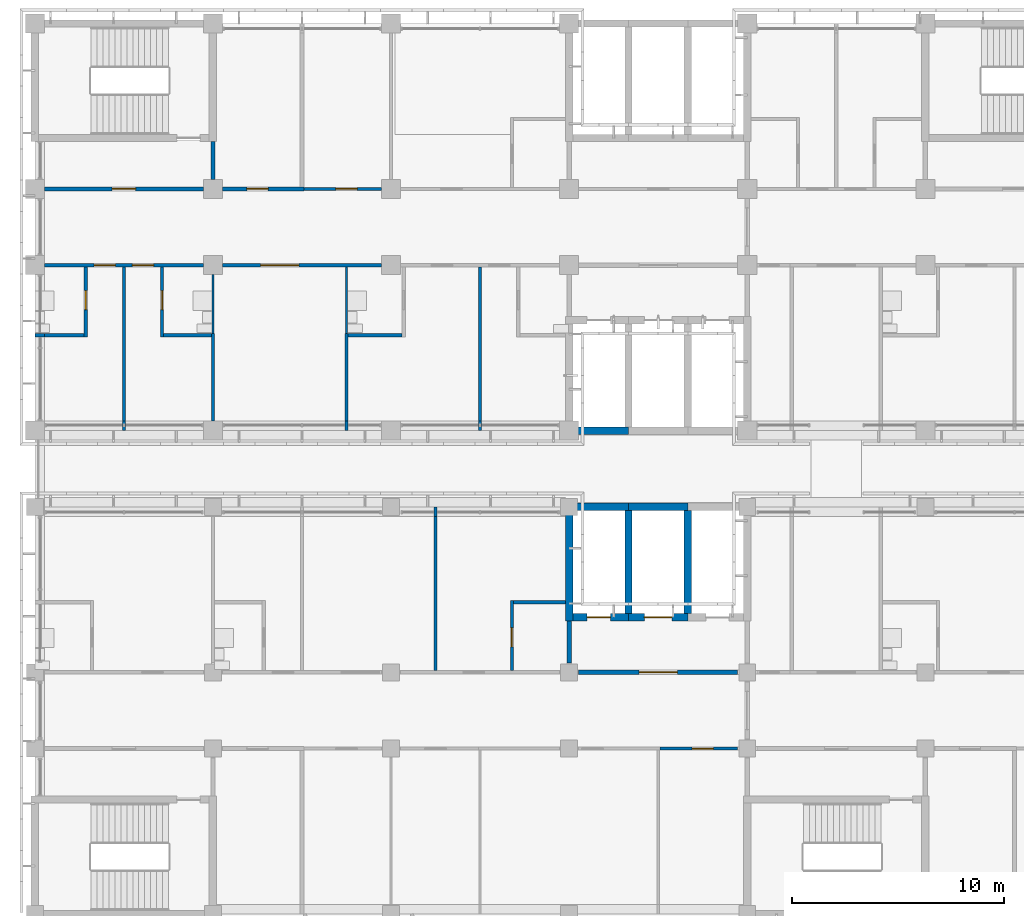
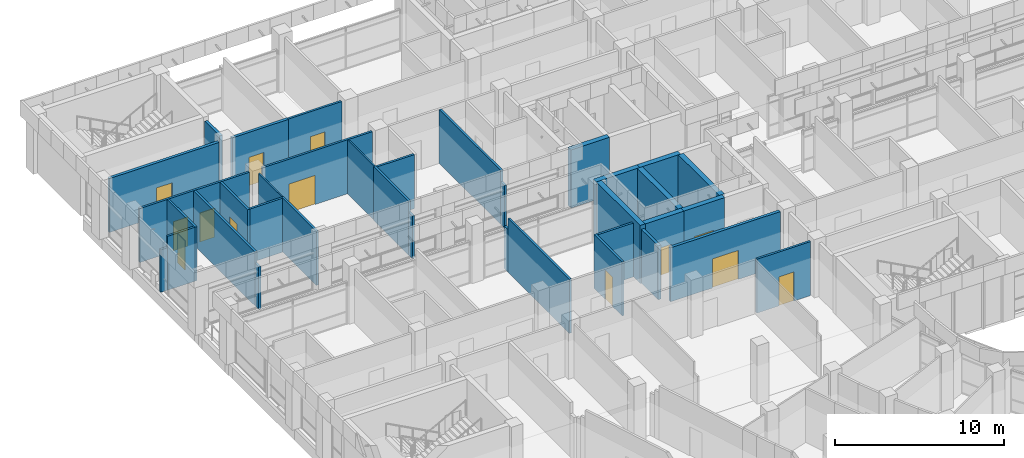
# One storey, part 74 of 137: 36 walls, 13 doors, 13 openings.
"""IFC4 building model written with IfcOpenShell, lengths in metres."""

from ifc_helpers import new_model, si_unit, direction, frame, frame_2d, origin, place, context, subcontext, project, spatial, rectangle, extrude, material, layer, layer_set, type_object, element, fill, save


model = new_model("IFC4")

# Units and contexts
model_context = context("Model", 3, precision=1e-05, world=origin(), true_north=direction((0.0, 1.0)))
body_context = subcontext(model_context, "Body", "Model", "MODEL_VIEW")
ifc_project = project(units=[si_unit("LENGTHUNIT", "METRE"), si_unit("AREAUNIT", "SQUARE_METRE"), si_unit("VOLUMEUNIT", "CUBIC_METRE"), si_unit("PLANEANGLEUNIT", "RADIAN"), si_unit("MASSUNIT", "GRAM", prefix="KILO")], contexts=[model_context])

# Site, building, storey
site_placement = place(None, origin())
site = spatial("IfcSite", under=ifc_project, at=site_placement, CompositionType="ELEMENT")
building_placement = place(site_placement, origin())
building = spatial("IfcBuilding", under=site, at=building_placement, Name="Bougainvillea Quay General Hospital", CompositionType="ELEMENT")
storey_placement = place(building_placement, frame((0.0, 0.0, 16.800048828125)))
storey = spatial("IfcBuildingStorey", under=building, at=storey_placement, Name="L03", CompositionType="ELEMENT", Elevation=16.800048828125)

# Walls
ifc_material_1 = material(Name="Gypsum board partition on steel studs", Category="steel")
ifc_layer_1 = layer(ifc_material_1, 0.10009765625)
ifc_layer_set_1 = layer_set([ifc_layer_1], Name="Gypsum board partition on steel studs")
wall_type_1 = type_object("IfcWallType", Name="Partition 100 Gypsum board partition", PredefinedType="PARTITIONING", material=ifc_layer_set_1)
wall_1_placement = place(storey_placement, frame((50.39990234375, 144.97509765625, 0.0), z_axis=(0.0, 0.0, 1.0), x_axis=(0.0, 1.0, 0.0)))
element("IfcWall", 1, at=wall_1_placement, inside=storey, type_object=wall_type_1, Name="Partition 100 mm", PredefinedType="PARTITIONING", context=body_context, shape_type="SweptSolid", body=[
    extrude(rectangle(XDim=2.77490234375, YDim=0.10009765625, at=frame_2d((1.387451171875, 0.0))), origin(), (0.0, 0.0, 1.0), 3.89990234375),
])
wall_2_placement = place(storey_placement, frame((56.699951171875, 144.97509765625, 0.0), z_axis=(0.0, 0.0, 1.0), x_axis=(0.0, 1.0, 0.0)))
element("IfcWall", 2, at=wall_2_placement, inside=storey, type_object=wall_type_1, Name="Partition 100 mm", PredefinedType="PARTITIONING", context=body_context, shape_type="SweptSolid", body=[
    extrude(rectangle(XDim=3.14990234375, YDim=0.10009765625, at=frame_2d((1.574951171875, 0.0))), origin(), (0.0, 0.0, 1.0), 3.89990234375),
])
ifc_material_2 = material(Name="Gypsum board partition on steel studs, insulated", Category="steel")
ifc_layer_2 = layer(ifc_material_2, 0.14990234375)
ifc_layer_set_2 = layer_set([ifc_layer_2], Name="Gypsum board partition on steel studs, insulated")
wall_type_2 = type_object("IfcWallType", Name="Partition 150 Gypsum board partition", PredefinedType="PARTITIONING", material=ifc_layer_set_2)
wall_3_placement = place(storey_placement, frame((60.89990234375, 129.074951171875, 0.0), z_axis=(0.0, 0.0, 1.0), x_axis=(0.0, 1.0, 0.0)))
element("IfcWall", 3, at=wall_3_placement, inside=storey, type_object=wall_type_2, Name="Partition 150 mm", PredefinedType="PARTITIONING", context=body_context, shape_type="SweptSolid", body=[
    extrude(rectangle(XDim=7.275146484375, YDim=0.14990234375, at=frame_2d((3.6376953125, 0.0))), origin(), (0.0, 0.0, 1.0), 3.89990234375),
])
wall_4_placement = place(storey_placement, frame((60.89990234375, 136.35009765625, 0.0), z_axis=(0.0, 0.0, 1.0), x_axis=(0.0, 1.0, 0.0)))
element("IfcWall", 4, at=wall_4_placement, inside=storey, type_object=wall_type_2, Name="Partition 150 mm", PredefinedType="PARTITIONING", context=body_context, shape_type="SweptSolid", body=[
    extrude(rectangle(XDim=0.449951171875, YDim=0.14990234375, at=frame_2d((0.22509765625, 0.0))), origin(), (0.0, 0.0, 1.0), 3.079833984375),
])
wall_5_placement = place(storey_placement, frame((46.199951171875, 140.39990234375, 0.0), z_axis=(0.0, 0.0, 1.0), x_axis=(0.0, 1.0, 0.0)))
element("IfcWall", 5, at=wall_5_placement, inside=storey, type_object=wall_type_2, Name="Partition 150 mm", PredefinedType="PARTITIONING", context=body_context, shape_type="SweptSolid", body=[
    extrude(rectangle(XDim=0.4501953125, YDim=0.14990234375, at=frame_2d((0.22509765625, 0.0))), origin(), (0.0, 0.0, 1.0), 3.079833984375),
])
wall_6_placement = place(storey_placement, frame((46.199951171875, 140.85009765625, 0.0), z_axis=(0.0, 0.0, 1.0), x_axis=(0.0, 1.0, 0.0)))
element("IfcWall", 6, at=wall_6_placement, inside=storey, type_object=wall_type_2, Name="Partition 150 mm", PredefinedType="PARTITIONING", context=body_context, shape_type="SweptSolid", body=[
    extrude(rectangle(XDim=7.27490234375, YDim=0.14990234375, at=frame_2d((3.637451171875, 0.0))), origin(), (0.0, 0.0, 1.0), 3.89990234375),
])
wall_7_placement = place(storey_placement, frame((63.0, 140.39990234375, 0.0), z_axis=(0.0, 0.0, 1.0), x_axis=(0.0, 1.0, 0.0)))
element("IfcWall", 7, at=wall_7_placement, inside=storey, type_object=wall_type_2, Name="Partition 150 mm", PredefinedType="PARTITIONING", context=body_context, shape_type="SweptSolid", body=[
    extrude(rectangle(XDim=0.4501953125, YDim=0.14990234375, at=frame_2d((0.22509765625, 0.0))), origin(), (0.0, 0.0, 1.0), 3.079833984375),
])
wall_8_placement = place(storey_placement, frame((63.0, 140.85009765625, 0.0), z_axis=(0.0, 0.0, 1.0), x_axis=(0.0, 1.0, 0.0)))
element("IfcWall", 8, at=wall_8_placement, inside=storey, type_object=wall_type_2, Name="Partition 150 mm", PredefinedType="PARTITIONING", context=body_context, shape_type="SweptSolid", body=[
    extrude(rectangle(XDim=7.27490234375, YDim=0.14990234375, at=frame_2d((3.637451171875, 0.0))), origin(), (0.0, 0.0, 1.0), 3.89990234375),
])
wall_9_placement = place(storey_placement, frame((50.39990234375, 140.85009765625, 0.0), z_axis=(0.0, 0.0, 1.0), x_axis=(0.0, 1.0, 0.0)))
element("IfcWall", 9, at=wall_9_placement, inside=storey, type_object=wall_type_2, Name="Partition 150 mm", PredefinedType="PARTITIONING", context=body_context, shape_type="SweptSolid", body=[
    extrude(rectangle(XDim=4.125, YDim=0.14990234375, at=frame_2d((2.0625, 0.0))), origin(), (0.0, 0.0, 1.0), 3.89990234375),
])
wall_10_placement = place(storey_placement, frame((56.699951171875, 140.39990234375, 0.0), z_axis=(0.0, 0.0, 1.0), x_axis=(0.0, 1.0, 0.0)))
element("IfcWall", 10, at=wall_10_placement, inside=storey, type_object=wall_type_2, Name="Partition 150 mm", PredefinedType="PARTITIONING", context=body_context, shape_type="SweptSolid", body=[
    extrude(rectangle(XDim=0.4501953125, YDim=0.14990234375, at=frame_2d((0.22509765625, 0.0))), origin(), (0.0, 0.0, 1.0), 3.079833984375),
])
wall_11_placement = place(storey_placement, frame((56.699951171875, 140.85009765625, 0.0), z_axis=(0.0, 0.0, 1.0), x_axis=(0.0, 1.0, 0.0)))
element("IfcWall", 11, at=wall_11_placement, inside=storey, type_object=wall_type_2, Name="Partition 150 mm", PredefinedType="PARTITIONING", context=body_context, shape_type="SweptSolid", body=[
    extrude(rectangle(XDim=4.125, YDim=0.14990234375, at=frame_2d((2.0625, 0.0))), origin(), (0.0, 0.0, 1.0), 3.89990234375),
])

# Wall, opening, door
wall_12_placement = place(storey_placement, frame((64.5, 129.074951171875, 0.0), z_axis=(0.0, 0.0, 1.0), x_axis=(0.0, 1.0, 0.0)))
wall_12 = element("IfcWall", 12, at=wall_12_placement, inside=storey, type_object=wall_type_2, Name="Partition 150 mm", PredefinedType="PARTITIONING", context=body_context, shape_type="SweptSolid", body=[
    extrude(rectangle(XDim=3.300048828125, YDim=0.14990234375, at=frame_2d((1.64990234375, 0.0))), origin(), (0.0, 0.0, 1.0), 3.89990234375),
])
opening_1_placement = place(wall_12_placement, frame((1.125, 0.0, 0.0)))
opening_1 = element("IfcOpeningElement", 13, at=opening_1_placement, cuts=wall_12, Name="Opening L03.084", PredefinedType="OPENING", context=body_context, shape_type="SweptSolid", body=[
    extrude(rectangle(XDim=0.89990234375, YDim=2.10009765625, at=frame_2d((0.449951171875, 1.050048828125))), frame((0.0, 0.0849609375, 0.0), z_axis=(0.0, -1.0, 0.0), x_axis=(1.0, 0.0, 0.0)), (0.0, 0.0, 1.0), 0.169921875),
])
ifc_material_3 = material(Name="Solid-core timber door leaf in steel frame", Category="steel")
door_type_1 = type_object("IfcDoorType", Name="Single leaf door 900x2100", OperationType="NOTDEFINED", PredefinedType="DOOR", material=ifc_material_3)
door_1_placement = place(opening_1_placement, frame((0.89990234375, 0.0, 0.0), z_axis=(0.0, 0.0, 1.0), x_axis=(-1.0, 0.0, 0.0)))
door_1 = element("IfcDoor", 14, at=door_1_placement, inside=storey, type_object=door_type_1, Name="DT07 L03.084", OperationType="SINGLE_SWING_RIGHT", OverallHeight=2.10009765625, OverallWidth=0.89990234375, PredefinedType="DOOR", context=body_context, shape_type="SweptSolid", body=[
    extrude(rectangle(XDim=0.89990234375, YDim=2.10009765625, at=frame_2d((0.449951171875, 1.050048828125))), frame((0.0, 0.02490234375, 0.0), z_axis=(0.0, -1.0, 0.0), x_axis=(1.0, 0.0, 0.0)), (0.0, 0.0, 1.0), 0.050048828125),
])
fill(opening_1, door_1)

wall_13_placement = place(storey_placement, frame((44.39990234375, 144.824951171875, 0.0), z_axis=(0.0, 0.0, 1.0), x_axis=(0.0, 1.0, 0.0)))
wall_13 = element("IfcWall", 15, at=wall_13_placement, inside=storey, type_object=wall_type_2, Name="Partition 150 mm", PredefinedType="PARTITIONING", context=body_context, shape_type="SweptSolid", body=[
    extrude(rectangle(XDim=3.300048828125, YDim=0.14990234375, at=frame_2d((1.64990234375, 0.0))), origin(), (0.0, 0.0, 1.0), 3.89990234375),
])
opening_2_placement = place(wall_13_placement, frame((1.27490234375, 0.0, 0.0)))
opening_2 = element("IfcOpeningElement", 16, at=opening_2_placement, cuts=wall_13, Name="Opening L03.005", PredefinedType="OPENING", context=body_context, shape_type="SweptSolid", body=[
    extrude(rectangle(XDim=0.89990234375, YDim=2.10009765625, at=frame_2d((0.449951171875, 1.050048828125))), frame((0.0, 0.0849609375, 0.0), z_axis=(0.0, -1.0, 0.0), x_axis=(1.0, 0.0, 0.0)), (0.0, 0.0, 1.0), 0.169921875),
])
door_2_placement = place(opening_2_placement, origin())
door_2 = element("IfcDoor", 17, at=door_2_placement, inside=storey, type_object=door_type_1, Name="DT07 L03.005", OperationType="SINGLE_SWING_RIGHT", OverallHeight=2.10009765625, OverallWidth=0.89990234375, PredefinedType="DOOR", context=body_context, shape_type="SweptSolid", body=[
    extrude(rectangle(XDim=0.89990234375, YDim=2.10009765625, at=frame_2d((0.449951171875, 1.050048828125))), frame((0.0, 0.02490234375, 0.0), z_axis=(0.0, -1.0, 0.0), x_axis=(1.0, 0.0, 0.0)), (0.0, 0.0, 1.0), 0.050048828125),
])
fill(opening_2, door_2)

wall_14_placement = place(storey_placement, frame((48.0, 144.824951171875, 0.0), z_axis=(0.0, 0.0, 1.0), x_axis=(0.0, 1.0, 0.0)))
wall_14 = element("IfcWall", 18, at=wall_14_placement, inside=storey, type_object=wall_type_2, Name="Partition 150 mm", PredefinedType="PARTITIONING", context=body_context, shape_type="SweptSolid", body=[
    extrude(rectangle(XDim=3.300048828125, YDim=0.14990234375, at=frame_2d((1.64990234375, 0.0))), origin(), (0.0, 0.0, 1.0), 3.89990234375),
])
opening_3_placement = place(wall_14_placement, frame((1.27490234375, 0.0, 0.0)))
opening_3 = element("IfcOpeningElement", 19, at=opening_3_placement, cuts=wall_14, Name="Opening L03.007", PredefinedType="OPENING", context=body_context, shape_type="SweptSolid", body=[
    extrude(rectangle(XDim=0.89990234375, YDim=2.10009765625, at=frame_2d((0.449951171875, 1.050048828125))), frame((0.0, 0.0849609375, 0.0), z_axis=(0.0, -1.0, 0.0), x_axis=(1.0, 0.0, 0.0)), (0.0, 0.0, 1.0), 0.169921875),
])
door_3_placement = place(opening_3_placement, frame((0.89990234375, 0.0, 0.0), z_axis=(0.0, 0.0, 1.0), x_axis=(-1.0, 0.0, 0.0)))
door_3 = element("IfcDoor", 20, at=door_3_placement, inside=storey, type_object=door_type_1, Name="DT07 L03.007", OperationType="SINGLE_SWING_LEFT", OverallHeight=2.10009765625, OverallWidth=0.89990234375, PredefinedType="DOOR", context=body_context, shape_type="SweptSolid", body=[
    extrude(rectangle(XDim=0.89990234375, YDim=2.10009765625, at=frame_2d((0.449951171875, 1.050048828125))), frame((0.0, 0.02490234375, 0.0), z_axis=(0.0, -1.0, 0.0), x_axis=(1.0, 0.0, 0.0)), (0.0, 0.0, 1.0), 0.050048828125),
])
fill(opening_3, door_3)

# Walls
wall_15_placement = place(storey_placement, frame((64.574951171875, 132.300048828125, 0.0), z_axis=(0.0, 0.0, 1.0), x_axis=(1.0, 0.0, 0.0)))
element("IfcWall", 21, at=wall_15_placement, inside=storey, type_object=wall_type_2, Name="Partition 150 mm", PredefinedType="PARTITIONING", context=body_context, shape_type="SweptSolid", body=[
    extrude(rectangle(XDim=2.449951171875, YDim=0.14990234375, at=frame_2d((1.22509765625, 0.0))), origin(), (0.0, 0.0, 1.0), 3.89990234375),
])
wall_16_placement = place(storey_placement, frame((56.77490234375, 144.89990234375, 0.0), z_axis=(0.0, 0.0, 1.0), x_axis=(1.0, 0.0, 0.0)))
element("IfcWall", 22, at=wall_16_placement, inside=storey, type_object=wall_type_2, Name="Partition 150 mm", PredefinedType="PARTITIONING", context=body_context, shape_type="SweptSolid", body=[
    extrude(rectangle(XDim=2.550048828125, YDim=0.14990234375, at=frame_2d((1.27490234375, 0.0))), origin(), (0.0, 0.0, 1.0), 3.89990234375),
])
wall_17_placement = place(storey_placement, frame((42.0, 144.89990234375, 0.0), z_axis=(0.0, 0.0, 1.0), x_axis=(1.0, 0.0, 0.0)))
element("IfcWall", 23, at=wall_17_placement, inside=storey, type_object=wall_type_2, Name="Partition 150 mm", PredefinedType="PARTITIONING", context=body_context, shape_type="SweptSolid", body=[
    extrude(rectangle(XDim=0.449951171875, YDim=0.14990234375, at=frame_2d((0.22509765625, 0.0))), origin(), (0.0, 0.0, 1.0), 3.079833984375),
])
wall_18_placement = place(storey_placement, frame((42.449951171875, 144.89990234375, 0.0), z_axis=(0.0, 0.0, 1.0), x_axis=(1.0, 0.0, 0.0)))
element("IfcWall", 24, at=wall_18_placement, inside=storey, type_object=wall_type_2, Name="Partition 150 mm", PredefinedType="PARTITIONING", context=body_context, shape_type="SweptSolid", body=[
    extrude(rectangle(XDim=1.875, YDim=0.14990234375, at=frame_2d((0.9375, 0.0))), origin(), (0.0, 0.0, 1.0), 3.89990234375),
])
wall_19_placement = place(storey_placement, frame((48.074951171875, 144.89990234375, 0.0), z_axis=(0.0, 0.0, 1.0), x_axis=(1.0, 0.0, 0.0)))
element("IfcWall", 25, at=wall_19_placement, inside=storey, type_object=wall_type_2, Name="Partition 150 mm", PredefinedType="PARTITIONING", context=body_context, shape_type="SweptSolid", body=[
    extrude(rectangle(XDim=2.25, YDim=0.14990234375, at=frame_2d((1.125, 0.0))), origin(), (0.0, 0.0, 1.0), 3.89990234375),
])

# Wall, opening, door
ifc_layer_3 = layer(ifc_material_2, 0.14990234375)
ifc_layer_set_3 = layer_set([ifc_layer_3], Name="Gypsum board partition on steel studs, insulated")
wall_type_3 = type_object("IfcWallType", Name="Partition 150 Gypsum board partition EI 30", PredefinedType="PARTITIONING", material=ifc_layer_set_3)
wall_20_placement = place(storey_placement, frame((58.35009765625, 148.199951171875, 0.0), z_axis=(0.0, 0.0, 1.0), x_axis=(-1.0, 0.0, 0.0)))
wall_20 = element("IfcWall", 26, at=wall_20_placement, inside=storey, type_object=wall_type_3, Name="Partition 150 mm EI 30", PredefinedType="PARTITIONING", context=body_context, shape_type="SweptSolid", body=[
    extrude(rectangle(XDim=7.5, YDim=0.14990234375, at=frame_2d((3.75, 0.0))), origin(), (0.0, 0.0, 1.0), 3.89990234375),
])
opening_4_placement = place(wall_20_placement, frame((3.89990234375, 0.0, 0.0)))
opening_4 = element("IfcOpeningElement", 27, at=opening_4_placement, cuts=wall_20, Name="Opening L03.008", PredefinedType="OPENING", context=body_context, shape_type="SweptSolid", body=[
    extrude(rectangle(XDim=1.800048828125, YDim=2.10009765625, at=frame_2d((0.89990234375, 1.050048828125))), frame((0.0, 0.0849609375, 0.0), z_axis=(0.0, -1.0, 0.0), x_axis=(1.0, 0.0, 0.0)), (0.0, 0.0, 1.0), 0.169921875),
])
ifc_material_4 = material(Name="Solid-core timber door leaves in steel frame", Category="steel")
door_type_2 = type_object("IfcDoorType", Name="Double leaf door 1800x2100 FD30S", OperationType="DOUBLE_DOOR_SINGLE_SWING", PredefinedType="DOOR", material=ifc_material_4)
door_4_placement = place(opening_4_placement, origin())
door_4 = element("IfcDoor", 28, at=door_4_placement, inside=storey, type_object=door_type_2, Name="DT17 L03.008", OperationType="DOUBLE_DOOR_SINGLE_SWING", OverallHeight=2.10009765625, OverallWidth=1.800048828125, PredefinedType="DOOR", context=body_context, shape_type="SweptSolid", body=[
    extrude(rectangle(XDim=1.800048828125, YDim=2.10009765625, at=frame_2d((0.89990234375, 1.050048828125))), frame((0.0, 0.02490234375, 0.0), z_axis=(0.0, -1.0, 0.0), x_axis=(1.0, 0.0, 0.0)), (0.0, 0.0, 1.0), 0.050048828125),
])
fill(opening_4, door_4)

# Wall, openings, doors
wall_21_placement = place(storey_placement, frame((49.949951171875, 148.199951171875, 0.0), z_axis=(0.0, 0.0, 1.0), x_axis=(-1.0, 0.0, 0.0)))
wall_21 = element("IfcWall", 29, at=wall_21_placement, inside=storey, type_object=wall_type_3, Name="Partition 150 mm EI 30", PredefinedType="PARTITIONING", context=body_context, shape_type="SweptSolid", body=[
    extrude(rectangle(XDim=7.5, YDim=0.14990234375, at=frame_2d((3.75, 0.0))), origin(), (0.0, 0.0, 1.0), 3.89990234375),
])
opening_5_placement = place(wall_21_placement, frame((4.14990234375, 0.0, 0.0)))
opening_5 = element("IfcOpeningElement", 30, at=opening_5_placement, cuts=wall_21, Name="Opening L03.004", PredefinedType="OPENING", context=body_context, shape_type="SweptSolid", body=[
    extrude(rectangle(XDim=1.0, YDim=2.10009765625, at=frame_2d((0.5, 1.050048828125))), frame((0.0, 0.0849609375, 0.0), z_axis=(0.0, -1.0, 0.0), x_axis=(1.0, 0.0, 0.0)), (0.0, 0.0, 1.0), 0.169921875),
])
opening_6_placement = place(wall_21_placement, frame((2.35009765625, 0.0, 0.0)))
opening_6 = element("IfcOpeningElement", 31, at=opening_6_placement, cuts=wall_21, Name="Opening L03.006", PredefinedType="OPENING", context=body_context, shape_type="SweptSolid", body=[
    extrude(rectangle(XDim=1.0, YDim=2.10009765625, at=frame_2d((0.5, 1.050048828125))), frame((0.0, 0.0849609375, 0.0), z_axis=(0.0, -1.0, 0.0), x_axis=(1.0, 0.0, 0.0)), (0.0, 0.0, 1.0), 0.169921875),
])
door_type_3 = type_object("IfcDoorType", Name="Single leaf door 1000x2100 FD30S", OperationType="NOTDEFINED", PredefinedType="DOOR", material=ifc_material_3)
door_5_placement = place(opening_5_placement, origin())
door_5 = element("IfcDoor", 32, at=door_5_placement, inside=storey, type_object=door_type_3, Name="DT15 L03.004", OperationType="SINGLE_SWING_RIGHT", OverallHeight=2.10009765625, OverallWidth=1.0, PredefinedType="DOOR", context=body_context, shape_type="SweptSolid", body=[
    extrude(rectangle(XDim=1.0, YDim=2.10009765625, at=frame_2d((0.5, 1.050048828125))), frame((0.0, 0.02490234375, 0.0), z_axis=(0.0, -1.0, 0.0), x_axis=(1.0, 0.0, 0.0)), (0.0, 0.0, 1.0), 0.050048828125),
])
fill(opening_5, door_5)
door_6_placement = place(opening_6_placement, origin())
door_6 = element("IfcDoor", 33, at=door_6_placement, inside=storey, type_object=door_type_3, Name="DT15 L03.006", OperationType="SINGLE_SWING_LEFT", OverallHeight=2.10009765625, OverallWidth=1.0, PredefinedType="DOOR", context=body_context, shape_type="SweptSolid", body=[
    extrude(rectangle(XDim=1.0, YDim=2.10009765625, at=frame_2d((0.5, 1.050048828125))), frame((0.0, 0.02490234375, 0.0), z_axis=(0.0, -1.0, 0.0), x_axis=(1.0, 0.0, 0.0)), (0.0, 0.0, 1.0), 0.050048828125),
])
fill(opening_6, door_6)

# Wall, opening, door
ifc_layer_4 = layer(ifc_material_2, 0.14990234375)
ifc_layer_set_4 = layer_set([ifc_layer_4], Name="Gypsum board partition on steel studs, insulated")
wall_type_4 = type_object("IfcWallType", Name="Partition 150 Gypsum board partition EI 60", PredefinedType="PARTITIONING", material=ifc_layer_set_4)
wall_22_placement = place(storey_placement, frame((54.699951171875, 151.800048828125, 0.0), z_axis=(0.0, 0.0, 1.0), x_axis=(1.0, 0.0, 0.0)))
wall_22 = element("IfcWall", 34, at=wall_22_placement, inside=storey, type_object=wall_type_4, Name="Partition 150 mm EI 60", PredefinedType="PARTITIONING", context=body_context, shape_type="SweptSolid", body=[
    extrude(rectangle(XDim=3.650146484375, YDim=0.14990234375, at=frame_2d((1.8251953125, 0.0))), origin(), (0.0, 0.0, 1.0), 3.89990234375),
])
opening_7_placement = place(wall_22_placement, frame((1.5, 0.0, 0.0)))
opening_7 = element("IfcOpeningElement", 35, at=opening_7_placement, cuts=wall_22, Name="Opening L03.013", PredefinedType="OPENING", context=body_context, shape_type="SweptSolid", body=[
    extrude(rectangle(XDim=1.0, YDim=2.10009765625, at=frame_2d((0.5, 1.050048828125))), frame((0.0, 0.0849609375, 0.0), z_axis=(0.0, -1.0, 0.0), x_axis=(1.0, 0.0, 0.0)), (0.0, 0.0, 1.0), 0.169921875),
])
door_type_4 = type_object("IfcDoorType", Name="Single leaf door 1000x2100 FD60", OperationType="NOTDEFINED", PredefinedType="DOOR", material=ifc_material_3)
door_7_placement = place(opening_7_placement, origin())
door_7 = element("IfcDoor", 36, at=door_7_placement, inside=storey, type_object=door_type_4, Name="DT14 L03.013", OperationType="SINGLE_SWING_RIGHT", OverallHeight=2.10009765625, OverallWidth=1.0, PredefinedType="DOOR", context=body_context, shape_type="SweptSolid", body=[
    extrude(rectangle(XDim=1.0, YDim=2.10009765625, at=frame_2d((0.5, 1.050048828125))), frame((0.0, 0.02490234375, 0.0), z_axis=(0.0, -1.0, 0.0), x_axis=(1.0, 0.0, 0.0)), (0.0, 0.0, 1.0), 0.050048828125),
])
fill(opening_7, door_7)

wall_23_placement = place(storey_placement, frame((71.47509765625, 125.39990234375, 0.0), z_axis=(0.0, 0.0, 1.0), x_axis=(1.0, 0.0, 0.0)))
wall_23 = element("IfcWall", 37, at=wall_23_placement, inside=storey, type_object=wall_type_4, Name="Partition 150 mm EI 60", PredefinedType="PARTITIONING", context=body_context, shape_type="SweptSolid", body=[
    extrude(rectangle(XDim=3.6748046875, YDim=0.14990234375, at=frame_2d((1.83740234375, 0.0))), origin(), (0.0, 0.0, 1.0), 3.89990234375),
])
opening_8_placement = place(wall_23_placement, frame((1.52490234375, 0.0, 0.0)))
opening_8 = element("IfcOpeningElement", 38, at=opening_8_placement, cuts=wall_23, Name="Opening L03.088", PredefinedType="OPENING", context=body_context, shape_type="SweptSolid", body=[
    extrude(rectangle(XDim=1.0, YDim=2.10009765625, at=frame_2d((0.5, 1.050048828125))), frame((0.0, 0.0849609375, 0.0), z_axis=(0.0, -1.0, 0.0), x_axis=(1.0, 0.0, 0.0)), (0.0, 0.0, 1.0), 0.169921875),
])
door_8_placement = place(opening_8_placement, frame((1.0, 0.0, 0.0), z_axis=(0.0, 0.0, 1.0), x_axis=(-1.0, 0.0, 0.0)))
door_8 = element("IfcDoor", 39, at=door_8_placement, inside=storey, type_object=door_type_4, Name="DT14 L03.088", OperationType="SINGLE_SWING_LEFT", OverallHeight=2.10009765625, OverallWidth=1.0, PredefinedType="DOOR", context=body_context, shape_type="SweptSolid", body=[
    extrude(rectangle(XDim=1.0, YDim=2.10009765625, at=frame_2d((0.5, 1.050048828125))), frame((0.0, 0.02490234375, 0.0), z_axis=(0.0, -1.0, 0.0), x_axis=(1.0, 0.0, 0.0)), (0.0, 0.0, 1.0), 0.050048828125),
])
fill(opening_8, door_8)

ifc_material_5 = material(Name="Fire-rated autoclaved aerated block wall, plastered")
ifc_layer_5 = layer(ifc_material_5, 0.199951171875)
ifc_layer_set_5 = layer_set([ifc_layer_5], Name="Fire-rated autoclaved aerated block wall, plastered")
wall_type_5 = type_object("IfcWallType", Name="Partition 200 Fire-rated autoclaved aerated block wall EI 120", PredefinedType="SOLIDWALL", material=ifc_layer_set_5)
wall_24_placement = place(storey_placement, frame((42.449951171875, 151.800048828125, 0.0), z_axis=(0.0, 0.0, 1.0), x_axis=(1.0, 0.0, 0.0)))
wall_24 = element("IfcWall", 40, at=wall_24_placement, inside=storey, type_object=wall_type_5, Name="Partition 200 mm EI 120", PredefinedType="SOLIDWALL", context=body_context, shape_type="SweptSolid", body=[
    extrude(rectangle(XDim=7.5, YDim=0.199951171875, at=frame_2d((3.75, 0.0))), origin(), (0.0, 0.0, 1.0), 3.89990234375),
])
opening_9_placement = place(wall_24_placement, frame((3.199951171875, 0.0, 0.0)))
opening_9 = element("IfcOpeningElement", 41, at=opening_9_placement, cuts=wall_24, Name="Opening L03.198", PredefinedType="OPENING", context=body_context, shape_type="SweptSolid", body=[
    extrude(rectangle(XDim=1.10009765625, YDim=2.10009765625, at=frame_2d((0.550048828125, 1.050048828125))), frame((0.0, 0.10986328125, 0.0), z_axis=(0.0, -1.0, 0.0), x_axis=(1.0, 0.0, 0.0)), (0.0, 0.0, 1.0), 0.219970703125),
])
ifc_material_6 = material(Name="Steel fire door leaf in steel frame", Category="steel")
door_type_5 = type_object("IfcDoorType", Name="Steel single leaf door 1100x2100 FD60", OperationType="NOTDEFINED", PredefinedType="DOOR", material=ifc_material_6)
door_9_placement = place(opening_9_placement, origin())
door_9 = element("IfcDoor", 42, at=door_9_placement, inside=storey, type_object=door_type_5, Name="DT04 L03.198", OperationType="SINGLE_SWING_RIGHT", OverallHeight=2.10009765625, OverallWidth=1.10009765625, PredefinedType="DOOR", context=body_context, shape_type="SweptSolid", body=[
    extrude(rectangle(XDim=1.10009765625, YDim=2.10009765625, at=frame_2d((0.550048828125, 1.050048828125))), frame((0.0, 0.02490234375, 0.0), z_axis=(0.0, -1.0, 0.0), x_axis=(1.0, 0.0, 0.0)), (0.0, 0.0, 1.0), 0.050048828125),
])
fill(opening_9, door_9)

wall_25_placement = place(storey_placement, frame((50.85009765625, 151.800048828125, 0.0), z_axis=(0.0, 0.0, 1.0), x_axis=(1.0, 0.0, 0.0)))
wall_25 = element("IfcWall", 43, at=wall_25_placement, inside=storey, type_object=wall_type_5, Name="Partition 200 mm EI 120", PredefinedType="SOLIDWALL", context=body_context, shape_type="SweptSolid", body=[
    extrude(rectangle(XDim=3.849853515625, YDim=0.199951171875, at=frame_2d((1.9248046875, 0.0))), origin(), (0.0, 0.0, 1.0), 3.89990234375),
])
opening_10_placement = place(wall_25_placement, frame((1.14990234375, 0.0, 0.0)))
opening_10 = element("IfcOpeningElement", 44, at=opening_10_placement, cuts=wall_25, Name="Opening L03.067", PredefinedType="OPENING", context=body_context, shape_type="SweptSolid", body=[
    extrude(rectangle(XDim=1.0, YDim=2.10009765625, at=frame_2d((0.5, 1.050048828125))), frame((0.0, 0.10986328125, 0.0), z_axis=(0.0, -1.0, 0.0), x_axis=(1.0, 0.0, 0.0)), (0.0, 0.0, 1.0), 0.219970703125),
])
door_type_6 = type_object("IfcDoorType", Name="Steel single leaf door 1000x2100 FD90", OperationType="NOTDEFINED", PredefinedType="DOOR", material=ifc_material_6)
door_10_placement = place(opening_10_placement, origin())
door_10 = element("IfcDoor", 45, at=door_10_placement, inside=storey, type_object=door_type_6, Name="DT11 L03.067", OperationType="SINGLE_SWING_LEFT", OverallHeight=2.10009765625, OverallWidth=1.0, PredefinedType="DOOR", context=body_context, shape_type="SweptSolid", body=[
    extrude(rectangle(XDim=1.0, YDim=2.10009765625, at=frame_2d((0.5, 1.050048828125))), frame((0.0, 0.02490234375, 0.0), z_axis=(0.0, -1.0, 0.0), x_axis=(1.0, 0.0, 0.0)), (0.0, 0.0, 1.0), 0.050048828125),
])
fill(opening_10, door_10)

# Wall
wall_26_placement = place(storey_placement, frame((50.39990234375, 152.25, 0.0), z_axis=(0.0, 0.0, 1.0), x_axis=(0.0, 1.0, 0.0)))
element("IfcWall", 46, at=wall_26_placement, inside=storey, type_object=wall_type_5, Name="Partition 200 mm EI 120", PredefinedType="SOLIDWALL", context=body_context, shape_type="SweptSolid", body=[
    extrude(rectangle(XDim=1.77490234375, YDim=0.199951171875, at=frame_2d((0.887451171875, 0.0))), origin(), (0.0, 0.0, 1.0), 3.89990234375),
])

# Wall, opening, door
wall_27_placement = place(storey_placement, frame((67.64990234375, 129.0, 0.0), z_axis=(0.0, 0.0, 1.0), x_axis=(1.0, 0.0, 0.0)))
wall_27 = element("IfcWall", 47, at=wall_27_placement, inside=storey, type_object=wall_type_5, Name="Partition 200 mm EI 120", PredefinedType="SOLIDWALL", context=body_context, shape_type="SweptSolid", body=[
    extrude(rectangle(XDim=7.5, YDim=0.199951171875, at=frame_2d((3.75, 0.0))), origin(), (0.0, 0.0, 1.0), 3.89990234375),
])
opening_11_placement = place(wall_27_placement, frame((2.85009765625, 0.0, 0.0)))
opening_11 = element("IfcOpeningElement", 48, at=opening_11_placement, cuts=wall_27, Name="Opening L03.136", PredefinedType="OPENING", context=body_context, shape_type="SweptSolid", body=[
    extrude(rectangle(XDim=1.800048828125, YDim=2.10009765625, at=frame_2d((0.89990234375, 1.050048828125))), frame((0.0, 0.10986328125, 0.0), z_axis=(0.0, -1.0, 0.0), x_axis=(1.0, 0.0, 0.0)), (0.0, 0.0, 1.0), 0.219970703125),
])
ifc_material_7 = material(Name="Steel fire door leaves in steel frame", Category="steel")
door_type_7 = type_object("IfcDoorType", Name="Steel double leaf door 1800x2100 FD60", OperationType="DOUBLE_DOOR_SINGLE_SWING", PredefinedType="DOOR", material=ifc_material_7)
door_11_placement = place(opening_11_placement, origin())
door_11 = element("IfcDoor", 49, at=door_11_placement, inside=storey, type_object=door_type_7, Name="DT05 L03.136", OperationType="DOUBLE_DOOR_SINGLE_SWING", OverallHeight=2.10009765625, OverallWidth=1.800048828125, PredefinedType="DOOR", context=body_context, shape_type="SweptSolid", body=[
    extrude(rectangle(XDim=1.800048828125, YDim=2.10009765625, at=frame_2d((0.89990234375, 1.050048828125))), frame((0.0, 0.02490234375, 0.0), z_axis=(0.0, -1.0, 0.0), x_axis=(1.0, 0.0, 0.0)), (0.0, 0.0, 1.0), 0.050048828125),
])
fill(opening_11, door_11)

# Walls
wall_28_placement = place(storey_placement, frame((67.199951171875, 129.449951171875, 0.0), z_axis=(0.0, 0.0, 1.0), x_axis=(0.0, 1.0, 0.0)))
element("IfcWall", 50, at=wall_28_placement, inside=storey, type_object=wall_type_5, Name="Partition 200 mm EI 120", PredefinedType="SOLIDWALL", context=body_context, shape_type="SweptSolid", body=[
    extrude(rectangle(XDim=1.97509765625, YDim=0.199951171875, at=frame_2d((0.987548828125, 0.0))), origin(), (0.0, 0.0, 1.0), 3.89990234375),
])
ifc_material_8 = material(Name="Concrete C40", Category="concrete")
ifc_layer_6 = layer(ifc_material_8, 0.35009765625)
ifc_layer_set_6 = layer_set([ifc_layer_6], Name="Concrete C40")
wall_type_6 = type_object("IfcWallType", Name="RC SHEAR WALL 350 C40", PredefinedType="SHEAR", material=ifc_layer_set_6)
wall_29_placement = place(storey_placement, frame((67.02490234375, 136.800048828125, 0.0), z_axis=(0.0, 0.0, 1.0), x_axis=(1.0, 0.0, 0.0)))
element("IfcWall", 51, at=wall_29_placement, inside=storey, type_object=wall_type_6, Name="Shear wall L03", PredefinedType="SHEAR", context=body_context, shape_type="SweptSolid", body=[
    extrude(rectangle(XDim=2.97509765625, YDim=0.35009765625, at=frame_2d((1.487548828125, 0.0))), origin(), (0.0, 0.0, 1.0), 4.199951171875),
])
wall_30_placement = place(storey_placement, frame((67.199951171875, 131.425048828125, 0.0), z_axis=(0.0, 0.0, 1.0), x_axis=(0.0, 1.0, 0.0)))
element("IfcWall", 52, at=wall_30_placement, inside=storey, type_object=wall_type_6, Name="Shear wall L03", PredefinedType="SHEAR", context=body_context, shape_type="SweptSolid", body=[
    extrude(rectangle(XDim=5.199951171875, YDim=0.35009765625, at=frame_2d((2.60009765625, 0.0))), origin(), (0.0, 0.0, 1.0), 4.199951171875),
])

# Wall, opening, door
wall_31_placement = place(storey_placement, frame((67.375, 131.60009765625, 0.0), z_axis=(0.0, 0.0, 1.0), x_axis=(1.0, 0.0, 0.0)))
wall_31 = element("IfcWall", 53, at=wall_31_placement, inside=storey, type_object=wall_type_6, Name="Shear wall L03", PredefinedType="SHEAR", context=body_context, shape_type="SweptSolid", body=[
    extrude(rectangle(XDim=2.625, YDim=0.35009765625, at=frame_2d((1.3125, 0.0))), origin(), (0.0, 0.0, 1.0), 4.199951171875),
])
opening_12_placement = place(wall_31_placement, frame((0.675048828125, 0.0, 0.0)))
opening_12 = element("IfcOpeningElement", 54, at=opening_12_placement, cuts=wall_31, Name="Opening LD-B1.1-L03", PredefinedType="OPENING", context=body_context, shape_type="SweptSolid", body=[
    extrude(rectangle(XDim=1.10009765625, YDim=2.10009765625, at=frame_2d((0.550048828125, 1.050048828125))), frame((0.0, 0.18505859375, 0.0), z_axis=(0.0, -1.0, 0.0), x_axis=(1.0, 0.0, 0.0)), (0.0, 0.0, 1.0), 0.3701171875),
])
ifc_material_9 = material(Name="Stainless steel centre-opening landing door", Category="steel")
door_type_8 = type_object("IfcDoorType", Name="Lift landing door 1100x2100 E 120", OperationType="DOUBLE_DOOR_SLIDING", PredefinedType="DOOR", material=ifc_material_9)
door_12_placement = place(opening_12_placement, origin())
door_12 = element("IfcDoor", 55, at=door_12_placement, inside=storey, type_object=door_type_8, Name="Lift landing door LB-B1-1 L03", OperationType="DOUBLE_DOOR_SLIDING", OverallHeight=2.10009765625, OverallWidth=1.10009765625, PredefinedType="DOOR", context=body_context, shape_type="SweptSolid", body=[
    extrude(rectangle(XDim=1.10009765625, YDim=2.10009765625, at=frame_2d((0.550048828125, 1.050048828125))), frame((0.0, 0.02490234375, 0.0), z_axis=(0.0, -1.0, 0.0), x_axis=(1.0, 0.0, 0.0)), (0.0, 0.0, 1.0), 0.050048828125),
])
fill(opening_12, door_12)

# Wall
wall_32_placement = place(storey_placement, frame((67.375, 140.39990234375, 0.0), z_axis=(0.0, 0.0, 1.0), x_axis=(1.0, 0.0, 0.0)))
element("IfcWall", 56, at=wall_32_placement, inside=storey, type_object=wall_type_6, Name="Shear wall L03", PredefinedType="SHEAR", context=body_context, shape_type="SweptSolid", body=[
    extrude(rectangle(XDim=2.625, YDim=0.35009765625, at=frame_2d((1.3125, 0.0))), origin(), (0.0, 0.0, 1.0), 4.199951171875),
])

# Wall, opening, door
wall_33_placement = place(storey_placement, frame((70.0, 131.60009765625, 0.0), z_axis=(0.0, 0.0, 1.0), x_axis=(1.0, 0.0, 0.0)))
wall_33 = element("IfcWall", 57, at=wall_33_placement, inside=storey, type_object=wall_type_6, Name="Shear wall L03", PredefinedType="SHEAR", context=body_context, shape_type="SweptSolid", body=[
    extrude(rectangle(XDim=2.800048828125, YDim=0.35009765625, at=frame_2d((1.39990234375, 0.0))), origin(), (0.0, 0.0, 1.0), 4.199951171875),
])
opening_13_placement = place(wall_33_placement, frame((0.75, 0.0, 0.0)))
opening_13 = element("IfcOpeningElement", 58, at=opening_13_placement, cuts=wall_33, Name="Opening LD-B1.2-L03", PredefinedType="OPENING", context=body_context, shape_type="SweptSolid", body=[
    extrude(rectangle(XDim=1.300048828125, YDim=2.10009765625, at=frame_2d((0.64990234375, 1.050048828125))), frame((0.0, 0.18505859375, 0.0), z_axis=(0.0, -1.0, 0.0), x_axis=(1.0, 0.0, 0.0)), (0.0, 0.0, 1.0), 0.3701171875),
])
door_type_9 = type_object("IfcDoorType", Name="Lift landing door 1300x2100 E 120", OperationType="DOUBLE_DOOR_SLIDING", PredefinedType="DOOR", material=ifc_material_9)
door_13_placement = place(opening_13_placement, origin())
door_13 = element("IfcDoor", 59, at=door_13_placement, inside=storey, type_object=door_type_9, Name="Lift landing door LB-B1-2 L03", OperationType="DOUBLE_DOOR_SLIDING", OverallHeight=2.10009765625, OverallWidth=1.300048828125, PredefinedType="DOOR", context=body_context, shape_type="SweptSolid", body=[
    extrude(rectangle(XDim=1.300048828125, YDim=2.10009765625, at=frame_2d((0.64990234375, 1.050048828125))), frame((0.0, 0.02490234375, 0.0), z_axis=(0.0, -1.0, 0.0), x_axis=(1.0, 0.0, 0.0)), (0.0, 0.0, 1.0), 0.050048828125),
])
fill(opening_13, door_13)

# Walls
wall_34_placement = place(storey_placement, frame((70.0, 131.77490234375, 0.0), z_axis=(0.0, 0.0, 1.0), x_axis=(0.0, 1.0, 0.0)))
element("IfcWall", 60, at=wall_34_placement, inside=storey, type_object=wall_type_6, Name="Shear wall L03", PredefinedType="SHEAR", context=body_context, shape_type="SweptSolid", body=[
    extrude(rectangle(XDim=4.85009765625, YDim=0.35009765625, at=frame_2d((2.425048828125, 0.0))), origin(), (0.0, 0.0, 1.0), 4.199951171875),
])
wall_35_placement = place(storey_placement, frame((70.0, 136.800048828125, 0.0), z_axis=(0.0, 0.0, 1.0), x_axis=(1.0, 0.0, 0.0)))
element("IfcWall", 61, at=wall_35_placement, inside=storey, type_object=wall_type_6, Name="Shear wall L03", PredefinedType="SHEAR", context=body_context, shape_type="SweptSolid", body=[
    extrude(rectangle(XDim=2.800048828125, YDim=0.35009765625, at=frame_2d((1.39990234375, 0.0))), origin(), (0.0, 0.0, 1.0), 4.199951171875),
])
wall_36_placement = place(storey_placement, frame((72.800048828125, 131.77490234375, 0.0), z_axis=(0.0, 0.0, 1.0), x_axis=(0.0, 1.0, 0.0)))
element("IfcWall", 62, at=wall_36_placement, inside=storey, type_object=wall_type_6, Name="Shear wall L03", PredefinedType="SHEAR", context=body_context, shape_type="SweptSolid", body=[
    extrude(rectangle(XDim=4.85009765625, YDim=0.35009765625, at=frame_2d((2.425048828125, 0.0))), origin(), (0.0, 0.0, 1.0), 4.199951171875),
])

save(model, "model.ifc")
